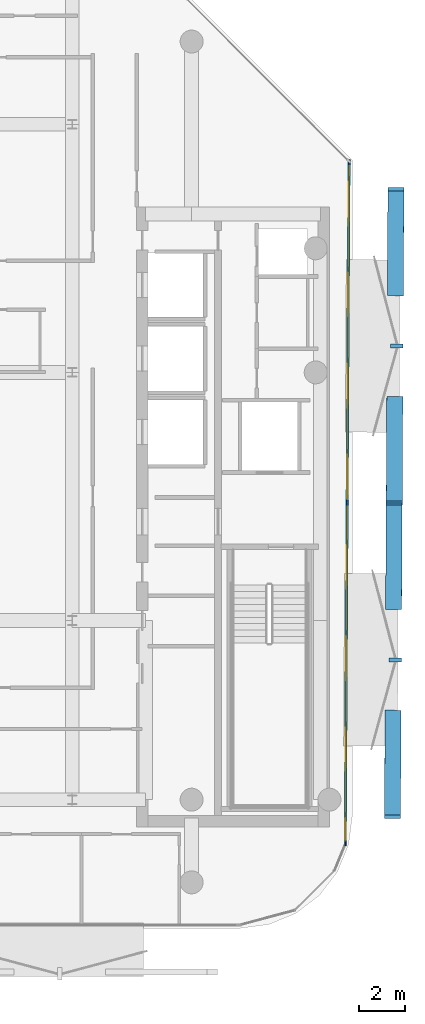
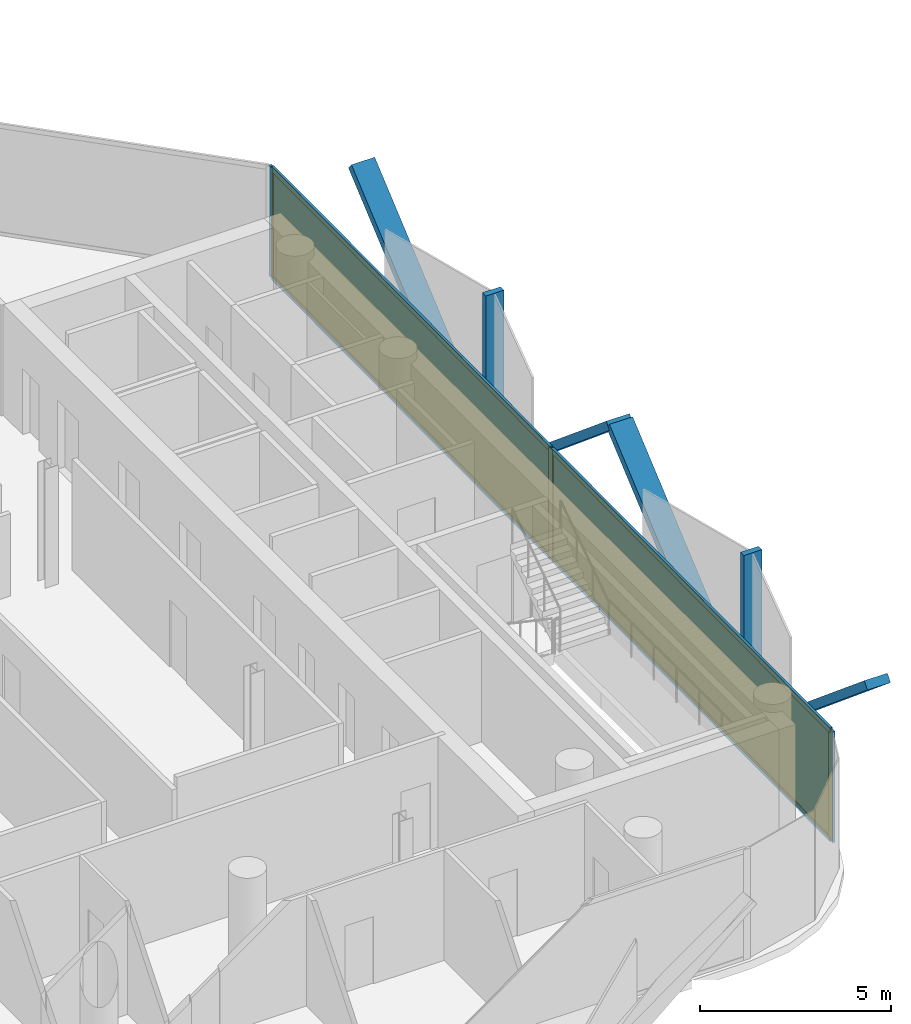
# One storey, part 11 of 17: 13 members, 2 plates, 1 curtain wall.
"""IFC4 building model written with IfcOpenShell, lengths in metres."""

from ifc_helpers import new_model, si_unit, direction, frame, frame_2d, origin, origin_2d, place, context, subcontext, project, spatial, rectangle, extrude, material, layer, layer_set, material_profile, profile_set, type_object, element, aggregate, save


model = new_model("IFC4")

# Units and contexts
model_context = context("Model", 3, precision=1e-05, world=origin(), true_north=direction((0.0, 1.0)))
body_context = subcontext(model_context, "Body", "Model", "MODEL_VIEW")
ifc_project = project(units=[si_unit("LENGTHUNIT", "METRE"), si_unit("AREAUNIT", "SQUARE_METRE"), si_unit("VOLUMEUNIT", "CUBIC_METRE"), si_unit("PLANEANGLEUNIT", "RADIAN"), si_unit("MASSUNIT", "GRAM", prefix="KILO")], contexts=[model_context])

# Member
ifc_material_1 = material(Name="Anodised Bronze Aluminium 6063-T6", Category="aluminium")
ifc_material_profile_1 = material_profile(ifc_material_1, rectangle(XDim=0.260009765625, YDim=0.699951171875, at=origin_2d()))
ifc_profile_set_1 = profile_set([ifc_material_profile_1], Name="Anodised Bronze Aluminium 6063-T6")
member_type_1 = type_object("IfcMemberType", Name="Bronze Diamond Solar-Screen Lattice Rib BDL-700", PredefinedType="MULLION", material=ifc_profile_set_1)
site_placement = place(None, origin())
building_placement = place(site_placement, origin())
storey_placement = place(building_placement, frame((0.0, 0.0, 308.0)))
member_1_placement = place(storey_placement, frame((23.243408203125, -1.1337890625, -0.1298828125), z_axis=(-0.004240723146, -0.767694405667, 0.640802087836), x_axis=(-0.009124603561, -0.640751466165, -0.767694144968)))
member_1 = element("IfcMember", 1, at=member_1_placement, type_object=member_type_1, Name="L74 Bronze Diamond Solar Screen Lattice Rib 524A", PredefinedType="MULLION", context=body_context, shape_type="SweptSolid", body=[
    extrude(rectangle(XDim=0.260009765625, YDim=0.699951171875, at=origin_2d()), origin(), (0.0, 0.0, 1.0), 5.9296875),
])

member_2_placement = place(storey_placement, frame((23.268310546875, 3.41845703125, -0.1298828125), z_axis=(0.004240723146, 0.767694405667, 0.640802087836), x_axis=(0.009124603561, 0.640751466165, -0.767694144968)))
member_2 = element("IfcMember", 2, at=member_2_placement, type_object=member_type_1, Name="L74 Bronze Diamond Solar Screen Lattice Rib 524B", PredefinedType="MULLION", context=body_context, shape_type="SweptSolid", body=[
    extrude(rectangle(XDim=0.260009765625, YDim=0.699951171875, at=origin_2d()), origin(), (0.0, 0.0, 1.0), 5.9296875),
])

member_3_placement = place(storey_placement, frame((23.168212890625, -14.79052734375, -0.1298828125), z_axis=(-0.004199419072, -0.767711445365, 0.640781945388), x_axis=(-0.009089942425, -0.640731815423, -0.7677109571)))
member_3 = element("IfcMember", 3, at=member_3_placement, type_object=member_type_1, Name="L74 Bronze Diamond Solar Screen Lattice Rib 525A", PredefinedType="MULLION", context=body_context, shape_type="SweptSolid", body=[
    extrude(rectangle(XDim=0.260009765625, YDim=0.699951171875, at=origin_2d()), origin(), (0.0, 0.0, 1.0), 5.929931640625),
])

member_4_placement = place(storey_placement, frame((23.193115234375, -10.23828125, -0.1298828125), z_axis=(0.004240723146, 0.767694405667, 0.640802087836), x_axis=(0.009124603561, 0.640751466165, -0.767694144968)))
member_4 = element("IfcMember", 4, at=member_4_placement, type_object=member_type_1, Name="L74 Bronze Diamond Solar Screen Lattice Rib 525B", PredefinedType="MULLION", context=body_context, shape_type="SweptSolid", body=[
    extrude(rectangle(XDim=0.260009765625, YDim=0.699951171875, at=origin_2d()), origin(), (0.0, 0.0, 1.0), 5.9296875),
])

ifc_material_2 = material(Name="Anodised Bronze Aluminium 6063-T6", Category="aluminium")
ifc_material_profile_2 = material_profile(ifc_material_2, rectangle(XDim=0.179931640625, YDim=0.5400390625, at=origin_2d()))
ifc_profile_set_2 = profile_set([ifc_material_profile_2], Name="Anodised Bronze Aluminium 6063-T6")
member_type_2 = type_object("IfcMemberType", Name="Bronze Solar-Screen Vertical Fold Fin BSF-540", PredefinedType="MULLION", material=ifc_profile_set_2)
member_5_placement = place(storey_placement, frame((23.335693359375, 1.141845703125, -0.1298828125), z_axis=(0.0, 0.0, 1.0), x_axis=(-0.005585024571, -0.999984403629, 0.0)))
member_5 = element("IfcMember", 5, at=member_5_placement, type_object=member_type_2, Name="L74 Bronze Solar Screen Vertical Fin 524", PredefinedType="MULLION", context=body_context, shape_type="SweptSolid", body=[
    extrude(rectangle(XDim=0.179931640625, YDim=0.5400390625, at=origin_2d()), origin(), (0.0, 0.0, 1.0), 3.7998046875),
])

member_6_placement = place(storey_placement, frame((23.2607421875, -12.514892578125, -0.1298828125), z_axis=(0.0, 0.0, 1.0), x_axis=(-0.005585024571, -0.999984403629, 0.0)))
member_6 = element("IfcMember", 6, at=member_6_placement, type_object=member_type_2, Name="L74 Bronze Solar Screen Vertical Fin 525", PredefinedType="MULLION", context=body_context, shape_type="SweptSolid", body=[
    extrude(rectangle(XDim=0.179931640625, YDim=0.5400390625, at=origin_2d()), origin(), (0.0, 0.0, 1.0), 3.7998046875),
])

ifc_material_3 = material(Name="Anodised Bronze Aluminium 6063-T6", Category="aluminium")
ifc_material_profile_3 = material_profile(ifc_material_3, rectangle(XDim=0.074951171875, YDim=0.2099609375, at=origin_2d()))
ifc_profile_set_3 = profile_set([ifc_material_profile_3], Name="Anodised Bronze Aluminium 6063-T6")
member_type_3 = type_object("IfcMemberType", Name="CW-CRN Mullion 75x210", PredefinedType="MULLION", material=ifc_profile_set_3)
member_7_placement = place(storey_placement, frame((21.259765625, 9.14453125, 0.0), z_axis=(0.0, 0.0, 1.0), x_axis=(0.999984880035, -0.005499063713, 0.0)))
member_7 = element("IfcMember", 7, at=member_7_placement, type_object=member_type_3, Name="CW-CRN mullion 1", PredefinedType="MULLION", context=body_context, shape_type="SweptSolid", body=[
    extrude(rectangle(XDim=0.074951171875, YDim=0.2099609375, at=origin_2d()), origin(), (0.0, 0.0, 1.0), 3.5400390625),
])

member_8_placement = place(storey_placement, frame((21.17822265625, -5.6748046875, 0.0), z_axis=(0.0, 0.0, 1.0), x_axis=(0.999984880035, -0.005499063713, 0.0)))
member_8 = element("IfcMember", 8, at=member_8_placement, type_object=member_type_3, Name="CW-CRN mullion 2", PredefinedType="MULLION", context=body_context, shape_type="SweptSolid", body=[
    extrude(rectangle(XDim=0.074951171875, YDim=0.2099609375, at=origin_2d()), origin(), (0.0, 0.0, 1.0), 3.5400390625),
])

member_9_placement = place(storey_placement, frame((21.096923828125, -20.494140625, 0.0), z_axis=(0.0, 0.0, 1.0), x_axis=(0.999984880035, -0.005499063713, 0.0)))
member_9 = element("IfcMember", 9, at=member_9_placement, type_object=member_type_3, Name="CW-CRN mullion 3", PredefinedType="MULLION", context=body_context, shape_type="SweptSolid", body=[
    extrude(rectangle(XDim=0.074951171875, YDim=0.2099609375, at=origin_2d()), origin(), (0.0, 0.0, 1.0), 3.5400390625),
])

ifc_material_4 = material(Name="Anodised Bronze Aluminium 6063-T6", Category="aluminium")
ifc_material_profile_4 = material_profile(ifc_material_4, rectangle(XDim=0.074951171875, YDim=0.1650390625, at=origin_2d()))
ifc_profile_set_4 = profile_set([ifc_material_profile_4], Name="Anodised Bronze Aluminium 6063-T6")
member_type_4 = type_object("IfcMemberType", Name="CW-CRN Transom 75x165", PredefinedType="USERDEFINED", material=ifc_profile_set_4)
member_10_placement = place(storey_placement, frame((21.259521484375, 9.10693359375, 0.03759765625), z_axis=(-0.005497242785, -0.999984890047, 0.0), x_axis=(0.999984890047, -0.005497242785, 0.0)))
member_10 = element("IfcMember", 10, at=member_10_placement, type_object=member_type_4, Name="CW-CRN transom 1.1", ObjectType="TRANSOM", PredefinedType="USERDEFINED", context=body_context, shape_type="SweptSolid", body=[
    extrude(rectangle(XDim=0.074951171875, YDim=0.1650390625, at=origin_2d()), origin(), (0.0, 0.0, 1.0), 14.74462890625),
])

member_11_placement = place(storey_placement, frame((21.259521484375, 9.10693359375, 3.50244140625), z_axis=(-0.005497242785, -0.999984890047, 0.0), x_axis=(0.999984890047, -0.005497242785, 0.0)))
member_11 = element("IfcMember", 11, at=member_11_placement, type_object=member_type_4, Name="CW-CRN transom 1.2", ObjectType="TRANSOM", PredefinedType="USERDEFINED", context=body_context, shape_type="SweptSolid", body=[
    extrude(rectangle(XDim=0.074951171875, YDim=0.1650390625, at=origin_2d()), origin(), (0.0, 0.0, 1.0), 14.74462890625),
])

member_12_placement = place(storey_placement, frame((21.177978515625, -5.71240234375, 0.03759765625), z_axis=(-0.005497242785, -0.999984890047, 0.0), x_axis=(0.999984890047, -0.005497242785, 0.0)))
member_12 = element("IfcMember", 12, at=member_12_placement, type_object=member_type_4, Name="CW-CRN transom 2.1", ObjectType="TRANSOM", PredefinedType="USERDEFINED", context=body_context, shape_type="SweptSolid", body=[
    extrude(rectangle(XDim=0.074951171875, YDim=0.1650390625, at=origin_2d()), origin(), (0.0, 0.0, 1.0), 14.74462890625),
])

member_13_placement = place(storey_placement, frame((21.177978515625, -5.71240234375, 3.50244140625), z_axis=(-0.005497242785, -0.999984890047, 0.0), x_axis=(0.999984890047, -0.005497242785, 0.0)))
member_13 = element("IfcMember", 13, at=member_13_placement, type_object=member_type_4, Name="CW-CRN transom 2.2", ObjectType="TRANSOM", PredefinedType="USERDEFINED", context=body_context, shape_type="SweptSolid", body=[
    extrude(rectangle(XDim=0.074951171875, YDim=0.1650390625, at=origin_2d()), origin(), (0.0, 0.0, 1.0), 14.74462890625),
])

# Plate
ifc_material_5 = material(Name="Low-E Solar Control Laminated Glass", Category="glass")
ifc_layer_1 = layer(ifc_material_5, 0.035888671875, Name="Low-E Solar Control Laminated Glass")
ifc_layer_set_1 = layer_set([ifc_layer_1], Name="Low-E Solar Control Laminated Glass")
plate_type = type_object("IfcPlateType", Name="CW-CRN Low-E Double Glazed Panel 36mm", PredefinedType="CURTAIN_PANEL", material=ifc_layer_set_1)
plate_1_placement = place(storey_placement, frame((21.218994140625, 1.73486328125, 0.0751953125), z_axis=(0.0, 0.0, 1.0), x_axis=(-0.005499063713, -0.999984880035, 0.0)))
plate_1 = element("IfcPlate", 14, at=plate_1_placement, type_object=plate_type, Name="CW-CRN panel 1.1", PredefinedType="CURTAIN_PANEL", context=body_context, shape_type="SweptSolid", body=[
    extrude(rectangle(XDim=14.74462890625, YDim=0.035888671875, at=origin_2d()), origin(), (0.0, 0.0, 1.0), 3.389892578125),
])

plate_2_placement = place(storey_placement, frame((21.137451171875, -13.08447265625, 0.0751953125), z_axis=(0.0, 0.0, 1.0), x_axis=(-0.005499063713, -0.999984880035, 0.0)))
plate_2 = element("IfcPlate", 15, at=plate_2_placement, type_object=plate_type, Name="CW-CRN panel 2.1", PredefinedType="CURTAIN_PANEL", context=body_context, shape_type="SweptSolid", body=[
    extrude(rectangle(XDim=14.74462890625, YDim=0.035888671875, at=origin_2d()), origin(), (0.0, 0.0, 1.0), 3.389892578125),
])

# Site, building, storey
site = spatial("IfcSite", under=ifc_project, at=site_placement, CompositionType="ELEMENT")
building = spatial("IfcBuilding", under=site, at=building_placement, Name="Khairoan Windgate Tower", CompositionType="ELEMENT")
storey = spatial("IfcBuildingStorey", under=building, at=storey_placement, Name="L74", CompositionType="ELEMENT", Elevation=308.0)

# Curtain wall
ifc_material_6 = material(Name="Anodised Bronze Aluminium 6063-T6", Category="aluminium")
ifc_layer_2 = layer(ifc_material_6, 0.2099609375, Name="Anodised Bronze Aluminium 6063-T6")
ifc_layer_set_2 = layer_set([ifc_layer_2], Name="Anodised Bronze Aluminium 6063-T6")
curtain_wall_type = type_object("IfcCurtainWallType", Name="Crown Observation and Vitrine Curtain Wall CW-CRN", PredefinedType="NOTDEFINED", material=ifc_layer_set_2)
curtain_wall_placement = place(storey_placement, frame((21.260009765625, 9.181884765625, 0.0), z_axis=(0.0, 0.0, 1.0), x_axis=(-0.005496724867, -0.999984892894, 0.0)))
curtain_wall = element("IfcCurtainWall", 16, at=curtain_wall_placement, inside=storey, type_object=curtain_wall_type, Name="L74 Unitised Curtain Wall 9", PredefinedType="NOTDEFINED", context=body_context, shape_type="SweptSolid", body=[
    extrude(rectangle(XDim=29.714111328125, YDim=0.010009765625, at=frame_2d((14.85693359375, 0.0))), origin(), (0.0, 0.0, 1.0), 3.5400390625),
])

aggregate(curtain_wall, [member_7, member_8, member_9, member_10, member_11, plate_1, member_12, member_13, plate_2, member_1, member_2, member_5, member_3, member_4, member_6])

save(model, "model.ifc")
